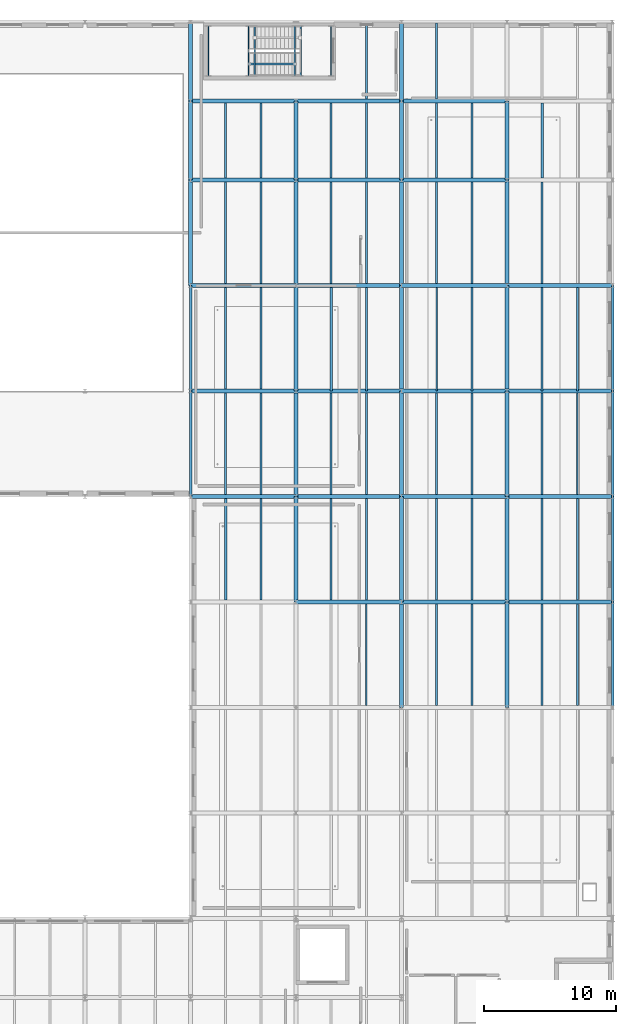
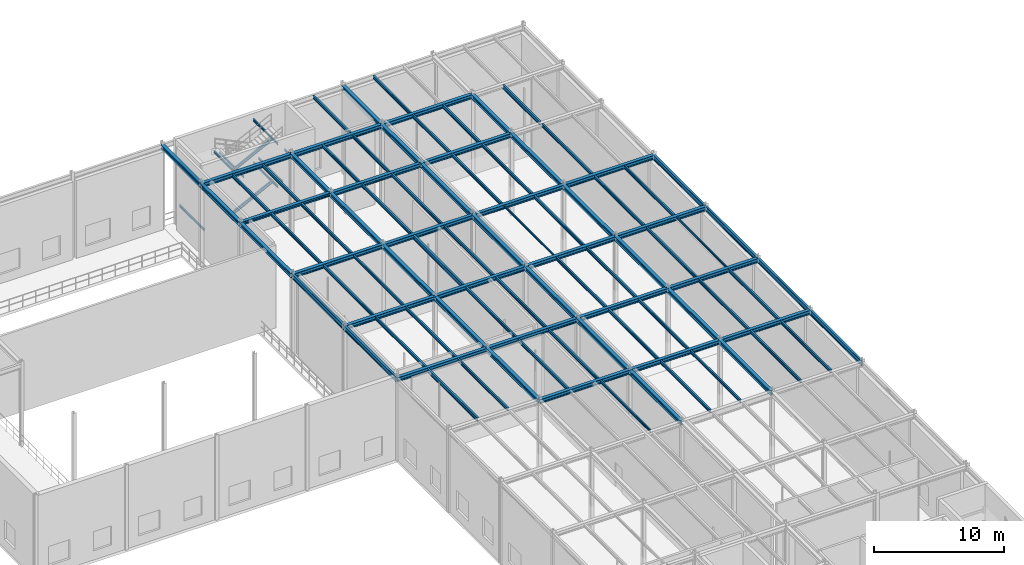
# One storey, part 71 of 138: 102 beams, 2 members.
"""IFC4 building model written with IfcOpenShell, lengths in metres."""

from ifc_helpers import new_model, si_unit, direction, frame, origin, origin_2d, place, context, subcontext, project, spatial, i_section, extrude, material, material_profile, profile_set, type_object, element, save


model = new_model("IFC4")

# Units and contexts
model_context = context("Model", 3, precision=1e-05, world=origin(), true_north=direction((0.0, 1.0)))
body_context = subcontext(model_context, "Body", "Model", "MODEL_VIEW")
ifc_project = project(units=[si_unit("LENGTHUNIT", "METRE"), si_unit("AREAUNIT", "SQUARE_METRE"), si_unit("VOLUMEUNIT", "CUBIC_METRE"), si_unit("PLANEANGLEUNIT", "RADIAN"), si_unit("MASSUNIT", "GRAM", prefix="KILO")], contexts=[model_context])

# Site, building, storey
site_placement = place(None, origin())
site = spatial("IfcSite", under=ifc_project, at=site_placement, CompositionType="ELEMENT")
building_placement = place(site_placement, origin())
building = spatial("IfcBuilding", under=site, at=building_placement, Name="Sundkrona Museum", CompositionType="ELEMENT")
storey_placement = place(building_placement, frame((0.0, 0.0, 9.60009765625)))
storey = spatial("IfcBuildingStorey", under=building, at=storey_placement, Name="L02", CompositionType="ELEMENT", Elevation=9.60009765625)

# Beams
ifc_material = material(Name="Steel S355J2", Category="steel")
ifc_material_profile_1 = material_profile(ifc_material, i_section(OverallWidth=0.300048828125, OverallDepth=0.389892578125, WebThickness=0.010986328125, FlangeThickness=0.01904296875, FilletRadius=0.027099609375, at=origin_2d()), Name="HEA 400")
ifc_profile_set_1 = profile_set([ifc_material_profile_1], Name="Steel S355J2")
beam_type_1 = type_object("IfcBeamType", Name="B-HEA400", PredefinedType="BEAM", material=ifc_profile_set_1)
for number, where, z_axis, x_axis, name in (
    (1, (144.0, 70.0, 7.544921875), (1.0, 0.0, 0.0), (0.0, 1.0, 0.0), "L02 Girder X-1191"),
    (2, (152.0, 70.0, 7.544921875), (1.0, 0.0, 0.0), (0.0, 1.0, 0.0), "L02 Girder X-1192"),
    (3, (160.0, 70.0, 7.544921875), (1.0, 0.0, 0.0), (0.0, 1.0, 0.0), "L02 Girder X-1193"),
    (4, (136.0, 78.0, 7.544921875), (1.0, 0.0, 0.0), (0.0, 1.0, 0.0), "L02 Girder X-1202"),
    (5, (144.0, 78.0, 7.544921875), (1.0, 0.0, 0.0), (0.0, 1.0, 0.0), "L02 Girder X-1203"),
    (6, (152.0, 78.0, 7.544921875), (1.0, 0.0, 0.0), (0.0, 1.0, 0.0), "L02 Girder X-1204"),
    (7, (160.0, 78.0, 7.544921875), (1.0, 0.0, 0.0), (0.0, 1.0, 0.0), "L02 Girder X-1205"),
    (8, (136.0, 86.0, 7.544921875), (1.0, 0.0, 0.0), (0.0, 1.0, 0.0), "L02 Girder X-1207"),
    (9, (144.0, 86.0, 7.544921875), (1.0, 0.0, 0.0), (0.0, 1.0, 0.0), "L02 Girder X-1208"),
    (10, (152.0, 86.0, 7.544921875), (1.0, 0.0, 0.0), (0.0, 1.0, 0.0), "L02 Girder X-1209"),
    (11, (160.0, 86.0, 7.544921875), (1.0, 0.0, 0.0), (0.0, 1.0, 0.0), "L02 Girder X-1210"),
    (12, (136.0, 94.0, 7.544921875), (1.0, 0.0, 0.0), (0.0, 1.0, 0.0), "L02 Girder X-1220"),
    (13, (144.0, 94.0, 7.5048828125), (1.0, 0.0, 0.0), (0.0, 1.0, 0.0), "L02 Girder X-1221"),
    (14, (152.0, 94.0, 7.5048828125), (1.0, 0.0, 0.0), (0.0, 1.0, 0.0), "L02 Girder X-1222"),
    (15, (160.0, 94.0, 7.5048828125), (1.0, 0.0, 0.0), (0.0, 1.0, 0.0), "L02 Girder X-1223"),
    (16, (144.0, 102.0, 7.5048828125), (1.0, 0.0, 0.0), (0.0, 1.0, 0.0), "L02 Girder X-1234"),
    (17, (152.0, 102.0, 7.5048828125), (1.0, 0.0, 0.0), (0.0, 1.0, 0.0), "L02 Girder X-1235"),
    (18, (136.0, 108.0, 7.544921875), (1.0, 0.0, 0.0), (0.0, 1.0, 0.0), "L02 Girder X-1246"),
    (19, (144.0, 108.0, 7.5048828125), (1.0, 0.0, 0.0), (0.0, 1.0, 0.0), "L02 Girder X-1247"),
    (20, (152.0, 108.0, 7.5048828125), (1.0, 0.0, 0.0), (0.0, 1.0, 0.0), "L02 Girder X-1248"),
    (21, (136.0, 94.0, 7.544921875), (0.0, 1.0, 0.0), (-1.0, 0.0, 0.0), "L02 Girder Y-1353"),
):
    element("IfcBeam", number, at=place(storey_placement, frame(where, z_axis=z_axis, x_axis=x_axis)), inside=storey, type_object=beam_type_1, Name=name, PredefinedType="BEAM", context=body_context, shape_type="SweptSolid", body=[
        extrude(i_section(OverallWidth=0.300048828125, OverallDepth=0.389892578125, WebThickness=0.010986328125, FlangeThickness=0.01904296875, FilletRadius=0.027099609375, at=origin_2d()), origin(), (0.0, 0.0, 1.0), 8.0),
    ])
for number, where, z_axis, x_axis, name in (
    (22, (136.0, 102.0, 7.544921875), (0.0, 1.0, 0.0), (-1.0, 0.0, 0.0), "L02 Girder Y-1354"),
    (23, (136.0, 108.0, 7.544921875), (0.0, 1.0, 0.0), (-1.0, 0.0, 0.0), "L02 Girder Y-1355"),
):
    element("IfcBeam", number, at=place(storey_placement, frame(where, z_axis=z_axis, x_axis=x_axis)), inside=storey, type_object=beam_type_1, Name=name, PredefinedType="BEAM", context=body_context, shape_type="SweptSolid", body=[
        extrude(i_section(OverallWidth=0.300048828125, OverallDepth=0.389892578125, WebThickness=0.010986328125, FlangeThickness=0.01904296875, FilletRadius=0.027099609375, at=origin_2d()), origin(), (0.0, 0.0, 1.0), 6.0),
    ])
for number, where, z_axis, x_axis, name in (
    (24, (144.0, 70.0, 7.544921875), (0.0, 1.0, 0.0), (-1.0, 0.0, 0.0), "L02 Girder Y-1362"),
    (25, (144.0, 78.0, 7.544921875), (0.0, 1.0, 0.0), (-1.0, 0.0, 0.0), "L02 Girder Y-1363"),
    (26, (144.0, 86.0, 7.544921875), (0.0, 1.0, 0.0), (-1.0, 0.0, 0.0), "L02 Girder Y-1364"),
    (27, (144.0, 94.0, 7.544921875), (0.0, 1.0, 0.0), (-1.0, 0.0, 0.0), "L02 Girder Y-1365"),
):
    element("IfcBeam", number, at=place(storey_placement, frame(where, z_axis=z_axis, x_axis=x_axis)), inside=storey, type_object=beam_type_1, Name=name, PredefinedType="BEAM", context=body_context, shape_type="SweptSolid", body=[
        extrude(i_section(OverallWidth=0.300048828125, OverallDepth=0.389892578125, WebThickness=0.010986328125, FlangeThickness=0.01904296875, FilletRadius=0.027099609375, at=origin_2d()), origin(), (0.0, 0.0, 1.0), 8.0),
    ])
beam_1_placement = place(storey_placement, frame((144.0, 102.0, 7.544921875), z_axis=(0.0, 1.0, 0.0), x_axis=(-1.0, 0.0, 0.0)))
element("IfcBeam", 28, at=beam_1_placement, inside=storey, type_object=beam_type_1, Name="L02 Girder Y-1366", PredefinedType="BEAM", context=body_context, shape_type="SweptSolid", body=[
    extrude(i_section(OverallWidth=0.300048828125, OverallDepth=0.389892578125, WebThickness=0.010986328125, FlangeThickness=0.01904296875, FilletRadius=0.027099609375, at=origin_2d()), origin(), (0.0, 0.0, 1.0), 6.0),
])
for number, where, z_axis, x_axis, name in (
    (29, (152.0, 62.0, 7.544921875), (0.0, 1.0, 0.0), (-1.0, 0.0, 0.0), "L02 Girder Y-1375"),
    (30, (152.0, 70.0, 7.544921875), (0.0, 1.0, 0.0), (-1.0, 0.0, 0.0), "L02 Girder Y-1376"),
    (31, (152.0, 78.0, 7.544921875), (0.0, 1.0, 0.0), (-1.0, 0.0, 0.0), "L02 Girder Y-1377"),
    (32, (152.0, 86.0, 7.5048828125), (0.0, 1.0, 0.0), (-1.0, 0.0, 0.0), "L02 Girder Y-1378"),
    (33, (152.0, 94.0, 7.5048828125), (0.0, 1.0, 0.0), (-1.0, 0.0, 0.0), "L02 Girder Y-1379"),
):
    element("IfcBeam", number, at=place(storey_placement, frame(where, z_axis=z_axis, x_axis=x_axis)), inside=storey, type_object=beam_type_1, Name=name, PredefinedType="BEAM", context=body_context, shape_type="SweptSolid", body=[
        extrude(i_section(OverallWidth=0.300048828125, OverallDepth=0.389892578125, WebThickness=0.010986328125, FlangeThickness=0.01904296875, FilletRadius=0.027099609375, at=origin_2d()), origin(), (0.0, 0.0, 1.0), 8.0),
    ])
for number, where, z_axis, x_axis, name in (
    (34, (152.0, 102.0, 7.5048828125), (0.0, 1.0, 0.0), (-1.0, 0.0, 0.0), "L02 Girder Y-1380"),
    (35, (152.0, 108.0, 7.5048828125), (0.0, 1.0, 0.0), (-1.0, 0.0, 0.0), "L02 Girder Y-1381"),
):
    element("IfcBeam", number, at=place(storey_placement, frame(where, z_axis=z_axis, x_axis=x_axis)), inside=storey, type_object=beam_type_1, Name=name, PredefinedType="BEAM", context=body_context, shape_type="SweptSolid", body=[
        extrude(i_section(OverallWidth=0.300048828125, OverallDepth=0.389892578125, WebThickness=0.010986328125, FlangeThickness=0.01904296875, FilletRadius=0.027099609375, at=origin_2d()), origin(), (0.0, 0.0, 1.0), 6.0),
    ])
for number, where, z_axis, x_axis, name in (
    (36, (160.0, 62.0, 7.544921875), (0.0, 1.0, 0.0), (-1.0, 0.0, 0.0), "L02 Girder Y-1388"),
    (37, (160.0, 70.0, 7.544921875), (0.0, 1.0, 0.0), (-1.0, 0.0, 0.0), "L02 Girder Y-1389"),
    (38, (160.0, 78.0, 7.544921875), (0.0, 1.0, 0.0), (-1.0, 0.0, 0.0), "L02 Girder Y-1390"),
    (39, (160.0, 86.0, 7.5048828125), (0.0, 1.0, 0.0), (-1.0, 0.0, 0.0), "L02 Girder Y-1391"),
    (40, (160.0, 94.0, 7.5048828125), (0.0, 1.0, 0.0), (-1.0, 0.0, 0.0), "L02 Girder Y-1392"),
):
    element("IfcBeam", number, at=place(storey_placement, frame(where, z_axis=z_axis, x_axis=x_axis)), inside=storey, type_object=beam_type_1, Name=name, PredefinedType="BEAM", context=body_context, shape_type="SweptSolid", body=[
        extrude(i_section(OverallWidth=0.300048828125, OverallDepth=0.389892578125, WebThickness=0.010986328125, FlangeThickness=0.01904296875, FilletRadius=0.027099609375, at=origin_2d()), origin(), (0.0, 0.0, 1.0), 8.0),
    ])
beam_2_placement = place(storey_placement, frame((160.0, 102.0, 7.5048828125), z_axis=(0.0, 1.0, 0.0), x_axis=(-1.0, 0.0, 0.0)))
element("IfcBeam", 41, at=beam_2_placement, inside=storey, type_object=beam_type_1, Name="L02 Girder Y-1393", PredefinedType="BEAM", context=body_context, shape_type="SweptSolid", body=[
    extrude(i_section(OverallWidth=0.300048828125, OverallDepth=0.389892578125, WebThickness=0.010986328125, FlangeThickness=0.01904296875, FilletRadius=0.027099609375, at=origin_2d()), origin(), (0.0, 0.0, 1.0), 6.0),
])
ifc_material_profile_2 = material_profile(ifc_material, i_section(OverallWidth=0.300048828125, OverallDepth=0.300048828125, WebThickness=0.010986328125, FlangeThickness=0.01904296875, FilletRadius=0.027099609375, at=origin_2d()), Name="HEB 300")
ifc_profile_set_2 = profile_set([ifc_material_profile_2], Name="Steel S355J2")
beam_type_2 = type_object("IfcBeamType", Name="B-HEB300", PredefinedType="BEAM", material=ifc_profile_set_2)
beam_3_placement = place(storey_placement, frame((136.0, 102.0, 7.58984375), z_axis=(1.0, 0.0, 0.0), x_axis=(0.0, 1.0, 0.0)))
element("IfcBeam", 42, at=beam_3_placement, inside=storey, type_object=beam_type_2, Name="L02 Girder X-1233", PredefinedType="BEAM", context=body_context, shape_type="SweptSolid", body=[
    extrude(i_section(OverallWidth=0.300048828125, OverallDepth=0.300048828125, WebThickness=0.010986328125, FlangeThickness=0.01904296875, FilletRadius=0.027099609375, at=origin_2d()), origin(), (0.0, 0.0, 1.0), 8.0),
])

# Members
ifc_material_profile_3 = material_profile(ifc_material, i_section(OverallWidth=0.135009765625, OverallDepth=0.27001953125, WebThickness=0.006591796875, FlangeThickness=0.01025390625, FilletRadius=0.014892578125, at=origin_2d()), Name="IPE 270")
ifc_profile_set_3 = profile_set([ifc_material_profile_3], Name="Steel S355J2")
member_type = type_object("IfcMemberType", Name="BR-IPE270", PredefinedType="BRACE", material=ifc_profile_set_3)
for number, where, z_axis, x_axis, name in (
    (43, (140.465087890625, 110.800048828125, 1.679931640625), (0.891659684786, 0.0, 0.45270631377), (0.0, 1.0, 0.0), "SRK-1 L02 ST-5 Flight 2 Inclined Carriage Raker"),
    (44, (140.465087890625, 110.800048828125, 5.679931640625), (0.891659684786, 0.0, 0.45270631377), (0.0, 1.0, 0.0), "SRK-1 L02 ST-5 Flight 4 Inclined Carriage Raker"),
):
    element("IfcMember", number, at=place(storey_placement, frame(where, z_axis=z_axis, x_axis=x_axis)), inside=storey, type_object=member_type, Name=name, PredefinedType="BRACE", context=body_context, shape_type="SweptSolid", body=[
        extrude(i_section(OverallWidth=0.135009765625, OverallDepth=0.27001953125, WebThickness=0.006591796875, FlangeThickness=0.01025390625, FilletRadius=0.014892578125, at=origin_2d()), origin(), (0.0, 0.0, 1.0), 3.85205078125),
    ])

# Beams
ifc_material_profile_4 = material_profile(ifc_material, i_section(OverallWidth=0.091064453125, OverallDepth=0.179931640625, WebThickness=0.00537109375, FlangeThickness=0.008056640625, FilletRadius=0.009033203125, at=origin_2d()), Name="IPE 180")
ifc_profile_set_4 = profile_set([ifc_material_profile_4], Name="Steel S355J2")
beam_type_3 = type_object("IfcBeamType", Name="J-IPE180", PredefinedType="JOIST", material=ifc_profile_set_4)
beam_4_placement = place(storey_placement, frame((154.666748046875, 86.014892578125, 7.60986328125), z_axis=(0.0, 1.0, 0.0), x_axis=(-1.0, 0.0, 0.0)))
element("IfcBeam", 45, at=beam_4_placement, inside=storey, type_object=beam_type_3, Name="L02 Composite Joist 0935", PredefinedType="JOIST", context=body_context, shape_type="SweptSolid", body=[
    extrude(i_section(OverallWidth=0.091064453125, OverallDepth=0.179931640625, WebThickness=0.00537109375, FlangeThickness=0.008056640625, FilletRadius=0.009033203125, at=origin_2d()), origin(), (0.0, 0.0, 1.0), 7.841064453125),
])
ifc_material_profile_5 = material_profile(ifc_material, i_section(OverallWidth=0.10009765625, OverallDepth=0.199951171875, WebThickness=0.005615234375, FlangeThickness=0.008544921875, FilletRadius=0.011962890625, at=origin_2d()), Name="IPE 200")
ifc_profile_set_5 = profile_set([ifc_material_profile_5], Name="Steel S355J2")
beam_type_4 = type_object("IfcBeamType", Name="J-IPE200", PredefinedType="JOIST", material=ifc_profile_set_5)
beam_5_placement = place(storey_placement, frame((165.333251953125, 78.14404296875, 7.639892578125), z_axis=(0.0, 1.0, 0.0), x_axis=(-1.0, 0.0, 0.0)))
element("IfcBeam", 46, at=beam_5_placement, inside=storey, type_object=beam_type_4, Name="L02 Composite Joist 0960", PredefinedType="JOIST", context=body_context, shape_type="SweptSolid", body=[
    extrude(i_section(OverallWidth=0.10009765625, OverallDepth=0.199951171875, WebThickness=0.005615234375, FlangeThickness=0.008544921875, FilletRadius=0.011962890625, at=origin_2d()), origin(), (0.0, 0.0, 1.0), 7.7119140625),
])
for number, where, z_axis, x_axis, name in (
    (47, (137.36328125, 109.909912109375, 1.679931640625), (0.0, 1.0, 0.0), (-1.0, 0.0, 0.0), "L02 ST-5 Mid-Landing Trimmer Beam 1A"),
    (48, (140.401611328125, 109.909912109375, 1.679931640625), (0.0, 1.0, 0.0), (-1.0, 0.0, 0.0), "L02 ST-5 Mid-Landing Trimmer Beam 1B"),
    (49, (144.347900390625, 109.909912109375, 3.679931640625), (0.0, 1.0, 0.0), (-1.0, 0.0, 0.0), "L02 ST-5 Mid-Landing Trimmer Beam 2A"),
    (50, (146.652099609375, 109.909912109375, 3.679931640625), (0.0, 1.0, 0.0), (-1.0, 0.0, 0.0), "L02 ST-5 Mid-Landing Trimmer Beam 2B"),
    (51, (137.36328125, 109.909912109375, 5.679931640625), (0.0, 1.0, 0.0), (-1.0, 0.0, 0.0), "L02 ST-5 Mid-Landing Trimmer Beam 3A"),
    (52, (140.401611328125, 109.909912109375, 5.679931640625), (0.0, 1.0, 0.0), (-1.0, 0.0, 0.0), "L02 ST-5 Mid-Landing Trimmer Beam 3B"),
    (53, (143.89990234375, 109.909912109375, 3.423828125), (0.0, 1.0, 0.0), (-1.0, 0.0, 0.0), "L02 ST-5 Flight 2 Arrival Header Beam"),
    (54, (140.864990234375, 109.909912109375, 5.423828125), (0.0, 1.0, 0.0), (-1.0, 0.0, 0.0), "L02 ST-5 Flight 3 Arrival Header Beam"),
    (55, (143.89990234375, 109.909912109375, 7.423828125), (0.0, 1.0, 0.0), (-1.0, 0.0, 0.0), "L02 ST-5 Flight 4 Arrival Header Beam"),
):
    element("IfcBeam", number, at=place(storey_placement, frame(where, z_axis=z_axis, x_axis=x_axis)), inside=storey, type_object=beam_type_4, Name=name, PredefinedType="JOIST", context=body_context, shape_type="SweptSolid", body=[
        extrude(i_section(OverallWidth=0.10009765625, OverallDepth=0.199951171875, WebThickness=0.005615234375, FlangeThickness=0.008544921875, FilletRadius=0.011962890625, at=origin_2d()), origin(), (0.0, 0.0, 1.0), 3.780029296875),
    ])
ifc_material_profile_6 = material_profile(ifc_material, i_section(OverallWidth=0.1201171875, OverallDepth=0.239990234375, WebThickness=0.006103515625, FlangeThickness=0.009765625, FilletRadius=0.014892578125, at=origin_2d()), Name="IPE 240")
ifc_profile_set_6 = profile_set([ifc_material_profile_6], Name="Steel S355J2")
beam_type_5 = type_object("IfcBeamType", Name="J-IPE240", PredefinedType="JOIST", material=ifc_profile_set_6)
beam_6_placement = place(storey_placement, frame((149.333251953125, 62.14404296875, 7.619873046875), z_axis=(0.0, 1.0, 0.0), x_axis=(-1.0, 0.0, 0.0)))
element("IfcBeam", 56, at=beam_6_placement, inside=storey, type_object=beam_type_5, Name="L02 Composite Joist 0905", PredefinedType="JOIST", context=body_context, shape_type="SweptSolid", body=[
    extrude(i_section(OverallWidth=0.1201171875, OverallDepth=0.239990234375, WebThickness=0.006103515625, FlangeThickness=0.009765625, FilletRadius=0.014892578125, at=origin_2d()), origin(), (0.0, 0.0, 1.0), 7.7119140625),
])
ifc_material_profile_7 = material_profile(ifc_material, i_section(OverallWidth=0.135009765625, OverallDepth=0.27001953125, WebThickness=0.006591796875, FlangeThickness=0.01025390625, FilletRadius=0.014892578125, at=origin_2d()), Name="IPE 270")
ifc_profile_set_7 = profile_set([ifc_material_profile_7], Name="Steel S355J2")
beam_type_6 = type_object("IfcBeamType", Name="J-IPE270", PredefinedType="JOIST", material=ifc_profile_set_7)
for number, where, z_axis, x_axis, name in (
    (57, (141.333251953125, 86.14404296875, 7.60498046875), (0.0, 1.0, 0.0), (-1.0, 0.0, 0.0), "L02 Composite Joist 0890"),
    (58, (157.333251953125, 62.14404296875, 7.60498046875), (0.0, 1.0, 0.0), (-1.0, 0.0, 0.0), "L02 Composite Joist 0930"),
):
    element("IfcBeam", number, at=place(storey_placement, frame(where, z_axis=z_axis, x_axis=x_axis)), inside=storey, type_object=beam_type_6, Name=name, PredefinedType="JOIST", context=body_context, shape_type="SweptSolid", body=[
        extrude(i_section(OverallWidth=0.135009765625, OverallDepth=0.27001953125, WebThickness=0.006591796875, FlangeThickness=0.01025390625, FilletRadius=0.014892578125, at=origin_2d()), origin(), (0.0, 0.0, 1.0), 7.7119140625),
    ])
ifc_material_profile_8 = material_profile(ifc_material, i_section(OverallWidth=0.14990234375, OverallDepth=0.300048828125, WebThickness=0.007080078125, FlangeThickness=0.0107421875, FilletRadius=0.014892578125, at=origin_2d()), Name="IPE 300")
ifc_profile_set_8 = profile_set([ifc_material_profile_8], Name="Steel S355J2")
beam_type_7 = type_object("IfcBeamType", Name="J-IPE300", PredefinedType="JOIST", material=ifc_profile_set_8)
for number, where, z_axis, x_axis, name in (
    (59, (141.333251953125, 70.14404296875, 7.58984375), (0.0, 1.0, 0.0), (-1.0, 0.0, 0.0), "L02 Composite Joist 0886"),
    (60, (138.666748046875, 78.14404296875, 7.58984375), (0.0, 1.0, 0.0), (-1.0, 0.0, 0.0), "L02 Composite Joist 0887"),
    (61, (141.333251953125, 78.14404296875, 7.58984375), (0.0, 1.0, 0.0), (-1.0, 0.0, 0.0), "L02 Composite Joist 0888"),
    (62, (138.666748046875, 86.14404296875, 7.58984375), (0.0, 1.0, 0.0), (-1.0, 0.0, 0.0), "L02 Composite Joist 0889"),
    (63, (138.666748046875, 94.14404296875, 7.58984375), (0.0, 1.0, 0.0), (-1.0, 0.0, 0.0), "L02 Composite Joist 0891"),
    (64, (141.333251953125, 94.14404296875, 7.58984375), (0.0, 1.0, 0.0), (-1.0, 0.0, 0.0), "L02 Composite Joist 0892"),
):
    element("IfcBeam", number, at=place(storey_placement, frame(where, z_axis=z_axis, x_axis=x_axis)), inside=storey, type_object=beam_type_7, Name=name, PredefinedType="JOIST", context=body_context, shape_type="SweptSolid", body=[
        extrude(i_section(OverallWidth=0.14990234375, OverallDepth=0.300048828125, WebThickness=0.007080078125, FlangeThickness=0.0107421875, FilletRadius=0.014892578125, at=origin_2d()), origin(), (0.0, 0.0, 1.0), 7.7119140625),
    ])
for number, where, z_axis, x_axis, name in (
    (65, (138.666748046875, 102.14404296875, 7.58984375), (0.0, 1.0, 0.0), (-1.0, 0.0, 0.0), "L02 Composite Joist 0893"),
    (66, (141.333251953125, 102.14404296875, 7.58984375), (0.0, 1.0, 0.0), (-1.0, 0.0, 0.0), "L02 Composite Joist 0894"),
):
    element("IfcBeam", number, at=place(storey_placement, frame(where, z_axis=z_axis, x_axis=x_axis)), inside=storey, type_object=beam_type_7, Name=name, PredefinedType="JOIST", context=body_context, shape_type="SweptSolid", body=[
        extrude(i_section(OverallWidth=0.14990234375, OverallDepth=0.300048828125, WebThickness=0.007080078125, FlangeThickness=0.0107421875, FilletRadius=0.014892578125, at=origin_2d()), origin(), (0.0, 0.0, 1.0), 5.7119140625),
    ])
for number, where, z_axis, x_axis, name in (
    (67, (146.666748046875, 70.14404296875, 7.58984375), (0.0, 1.0, 0.0), (-1.0, 0.0, 0.0), "L02 Composite Joist 0906"),
    (68, (149.333251953125, 70.14404296875, 7.58984375), (0.0, 1.0, 0.0), (-1.0, 0.0, 0.0), "L02 Composite Joist 0907"),
    (69, (146.666748046875, 78.14404296875, 7.58984375), (0.0, 1.0, 0.0), (-1.0, 0.0, 0.0), "L02 Composite Joist 0908"),
    (70, (149.333251953125, 78.14404296875, 7.58984375), (0.0, 1.0, 0.0), (-1.0, 0.0, 0.0), "L02 Composite Joist 0909"),
):
    element("IfcBeam", number, at=place(storey_placement, frame(where, z_axis=z_axis, x_axis=x_axis)), inside=storey, type_object=beam_type_7, Name=name, PredefinedType="JOIST", context=body_context, shape_type="SweptSolid", body=[
        extrude(i_section(OverallWidth=0.14990234375, OverallDepth=0.300048828125, WebThickness=0.007080078125, FlangeThickness=0.0107421875, FilletRadius=0.014892578125, at=origin_2d()), origin(), (0.0, 0.0, 1.0), 7.7119140625),
    ])
beam_7_placement = place(storey_placement, frame((149.333251953125, 86.014892578125, 7.5498046875), z_axis=(0.0, 1.0, 0.0), x_axis=(-1.0, 0.0, 0.0)))
element("IfcBeam", 71, at=beam_7_placement, inside=storey, type_object=beam_type_7, Name="L02 Composite Joist 0911", PredefinedType="JOIST", context=body_context, shape_type="SweptSolid", body=[
    extrude(i_section(OverallWidth=0.14990234375, OverallDepth=0.300048828125, WebThickness=0.007080078125, FlangeThickness=0.0107421875, FilletRadius=0.014892578125, at=origin_2d()), origin(), (0.0, 0.0, 1.0), 7.841064453125),
])
for number, where, z_axis, x_axis, name in (
    (72, (146.666748046875, 94.14404296875, 7.5498046875), (0.0, 1.0, 0.0), (-1.0, 0.0, 0.0), "L02 Composite Joist 0912"),
    (73, (149.333251953125, 94.14404296875, 7.5498046875), (0.0, 1.0, 0.0), (-1.0, 0.0, 0.0), "L02 Composite Joist 0913"),
):
    element("IfcBeam", number, at=place(storey_placement, frame(where, z_axis=z_axis, x_axis=x_axis)), inside=storey, type_object=beam_type_7, Name=name, PredefinedType="JOIST", context=body_context, shape_type="SweptSolid", body=[
        extrude(i_section(OverallWidth=0.14990234375, OverallDepth=0.300048828125, WebThickness=0.007080078125, FlangeThickness=0.0107421875, FilletRadius=0.014892578125, at=origin_2d()), origin(), (0.0, 0.0, 1.0), 7.7119140625),
    ])
for number, where, z_axis, x_axis, name in (
    (74, (146.666748046875, 102.14404296875, 7.5498046875), (0.0, 1.0, 0.0), (-1.0, 0.0, 0.0), "L02 Composite Joist 0914"),
    (75, (149.333251953125, 102.14404296875, 7.5498046875), (0.0, 1.0, 0.0), (-1.0, 0.0, 0.0), "L02 Composite Joist 0915"),
):
    element("IfcBeam", number, at=place(storey_placement, frame(where, z_axis=z_axis, x_axis=x_axis)), inside=storey, type_object=beam_type_7, Name=name, PredefinedType="JOIST", context=body_context, shape_type="SweptSolid", body=[
        extrude(i_section(OverallWidth=0.14990234375, OverallDepth=0.300048828125, WebThickness=0.007080078125, FlangeThickness=0.0107421875, FilletRadius=0.014892578125, at=origin_2d()), origin(), (0.0, 0.0, 1.0), 5.7119140625),
    ])
beam_8_placement = place(storey_placement, frame((149.333251953125, 108.14404296875, 7.5498046875), z_axis=(0.0, 1.0, 0.0), x_axis=(-1.0, 0.0, 0.0)))
element("IfcBeam", 76, at=beam_8_placement, inside=storey, type_object=beam_type_7, Name="L02 Composite Joist 0916", PredefinedType="JOIST", context=body_context, shape_type="SweptSolid", body=[
    extrude(i_section(OverallWidth=0.14990234375, OverallDepth=0.300048828125, WebThickness=0.007080078125, FlangeThickness=0.0107421875, FilletRadius=0.014892578125, at=origin_2d()), origin(), (0.0, 0.0, 1.0), 5.766845703125),
])
for number, where, z_axis, x_axis, name in (
    (77, (154.666748046875, 62.14404296875, 7.58984375), (0.0, 1.0, 0.0), (-1.0, 0.0, 0.0), "L02 Composite Joist 0929"),
    (78, (154.666748046875, 70.14404296875, 7.58984375), (0.0, 1.0, 0.0), (-1.0, 0.0, 0.0), "L02 Composite Joist 0931"),
    (79, (157.333251953125, 70.14404296875, 7.58984375), (0.0, 1.0, 0.0), (-1.0, 0.0, 0.0), "L02 Composite Joist 0932"),
    (80, (154.666748046875, 78.14404296875, 7.58984375), (0.0, 1.0, 0.0), (-1.0, 0.0, 0.0), "L02 Composite Joist 0933"),
    (81, (157.333251953125, 78.14404296875, 7.58984375), (0.0, 1.0, 0.0), (-1.0, 0.0, 0.0), "L02 Composite Joist 0934"),
):
    element("IfcBeam", number, at=place(storey_placement, frame(where, z_axis=z_axis, x_axis=x_axis)), inside=storey, type_object=beam_type_7, Name=name, PredefinedType="JOIST", context=body_context, shape_type="SweptSolid", body=[
        extrude(i_section(OverallWidth=0.14990234375, OverallDepth=0.300048828125, WebThickness=0.007080078125, FlangeThickness=0.0107421875, FilletRadius=0.014892578125, at=origin_2d()), origin(), (0.0, 0.0, 1.0), 7.7119140625),
    ])
beam_9_placement = place(storey_placement, frame((157.333251953125, 86.014892578125, 7.5498046875), z_axis=(0.0, 1.0, 0.0), x_axis=(-1.0, 0.0, 0.0)))
element("IfcBeam", 82, at=beam_9_placement, inside=storey, type_object=beam_type_7, Name="L02 Composite Joist 0936", PredefinedType="JOIST", context=body_context, shape_type="SweptSolid", body=[
    extrude(i_section(OverallWidth=0.14990234375, OverallDepth=0.300048828125, WebThickness=0.007080078125, FlangeThickness=0.0107421875, FilletRadius=0.014892578125, at=origin_2d()), origin(), (0.0, 0.0, 1.0), 7.841064453125),
])
for number, where, z_axis, x_axis, name in (
    (83, (154.666748046875, 94.14404296875, 7.5498046875), (0.0, 1.0, 0.0), (-1.0, 0.0, 0.0), "L02 Composite Joist 0937"),
    (84, (157.333251953125, 94.14404296875, 7.5498046875), (0.0, 1.0, 0.0), (-1.0, 0.0, 0.0), "L02 Composite Joist 0938"),
):
    element("IfcBeam", number, at=place(storey_placement, frame(where, z_axis=z_axis, x_axis=x_axis)), inside=storey, type_object=beam_type_7, Name=name, PredefinedType="JOIST", context=body_context, shape_type="SweptSolid", body=[
        extrude(i_section(OverallWidth=0.14990234375, OverallDepth=0.300048828125, WebThickness=0.007080078125, FlangeThickness=0.0107421875, FilletRadius=0.014892578125, at=origin_2d()), origin(), (0.0, 0.0, 1.0), 7.7119140625),
    ])
beam_10_placement = place(storey_placement, frame((154.666748046875, 102.14404296875, 7.5498046875), z_axis=(0.0, 1.0, 0.0), x_axis=(-1.0, 0.0, 0.0)))
element("IfcBeam", 85, at=beam_10_placement, inside=storey, type_object=beam_type_7, Name="L02 Composite Joist 0939", PredefinedType="JOIST", context=body_context, shape_type="SweptSolid", body=[
    extrude(i_section(OverallWidth=0.14990234375, OverallDepth=0.300048828125, WebThickness=0.007080078125, FlangeThickness=0.0107421875, FilletRadius=0.014892578125, at=origin_2d()), origin(), (0.0, 0.0, 1.0), 5.7119140625),
])
beam_11_placement = place(storey_placement, frame((154.666748046875, 108.14404296875, 7.5498046875), z_axis=(0.0, 1.0, 0.0), x_axis=(-1.0, 0.0, 0.0)))
element("IfcBeam", 86, at=beam_11_placement, inside=storey, type_object=beam_type_7, Name="L02 Composite Joist 0941", PredefinedType="JOIST", context=body_context, shape_type="SweptSolid", body=[
    extrude(i_section(OverallWidth=0.14990234375, OverallDepth=0.300048828125, WebThickness=0.007080078125, FlangeThickness=0.0107421875, FilletRadius=0.014892578125, at=origin_2d()), origin(), (0.0, 0.0, 1.0), 5.766845703125),
])
for number, where, z_axis, x_axis, name in (
    (87, (162.666748046875, 62.14404296875, 7.58984375), (0.0, 1.0, 0.0), (-1.0, 0.0, 0.0), "L02 Composite Joist 0955"),
    (88, (165.333251953125, 62.14404296875, 7.58984375), (0.0, 1.0, 0.0), (-1.0, 0.0, 0.0), "L02 Composite Joist 0956"),
    (89, (162.666748046875, 70.14404296875, 7.58984375), (0.0, 1.0, 0.0), (-1.0, 0.0, 0.0), "L02 Composite Joist 0957"),
    (90, (165.333251953125, 70.14404296875, 7.58984375), (0.0, 1.0, 0.0), (-1.0, 0.0, 0.0), "L02 Composite Joist 0958"),
    (91, (162.666748046875, 78.14404296875, 7.58984375), (0.0, 1.0, 0.0), (-1.0, 0.0, 0.0), "L02 Composite Joist 0959"),
):
    element("IfcBeam", number, at=place(storey_placement, frame(where, z_axis=z_axis, x_axis=x_axis)), inside=storey, type_object=beam_type_7, Name=name, PredefinedType="JOIST", context=body_context, shape_type="SweptSolid", body=[
        extrude(i_section(OverallWidth=0.14990234375, OverallDepth=0.300048828125, WebThickness=0.007080078125, FlangeThickness=0.0107421875, FilletRadius=0.014892578125, at=origin_2d()), origin(), (0.0, 0.0, 1.0), 7.7119140625),
    ])
for number, where, z_axis, x_axis, name in (
    (92, (162.666748046875, 86.014892578125, 7.5498046875), (0.0, 1.0, 0.0), (-1.0, 0.0, 0.0), "L02 Composite Joist 0961"),
    (93, (165.333251953125, 86.014892578125, 7.5498046875), (0.0, 1.0, 0.0), (-1.0, 0.0, 0.0), "L02 Composite Joist 0962"),
):
    element("IfcBeam", number, at=place(storey_placement, frame(where, z_axis=z_axis, x_axis=x_axis)), inside=storey, type_object=beam_type_7, Name=name, PredefinedType="JOIST", context=body_context, shape_type="SweptSolid", body=[
        extrude(i_section(OverallWidth=0.14990234375, OverallDepth=0.300048828125, WebThickness=0.007080078125, FlangeThickness=0.0107421875, FilletRadius=0.014892578125, at=origin_2d()), origin(), (0.0, 0.0, 1.0), 7.841064453125),
    ])
beam_12_placement = place(storey_placement, frame((162.666748046875, 94.14404296875, 7.5498046875), z_axis=(0.0, 1.0, 0.0), x_axis=(-1.0, 0.0, 0.0)))
element("IfcBeam", 94, at=beam_12_placement, inside=storey, type_object=beam_type_7, Name="L02 Composite Joist 0963", PredefinedType="JOIST", context=body_context, shape_type="SweptSolid", body=[
    extrude(i_section(OverallWidth=0.14990234375, OverallDepth=0.300048828125, WebThickness=0.007080078125, FlangeThickness=0.0107421875, FilletRadius=0.014892578125, at=origin_2d()), origin(), (0.0, 0.0, 1.0), 7.7119140625),
])
ifc_material_profile_9 = material_profile(ifc_material, i_section(OverallWidth=0.159912109375, OverallDepth=0.330078125, WebThickness=0.007568359375, FlangeThickness=0.011474609375, FilletRadius=0.01806640625, at=origin_2d()), Name="IPE 330")
ifc_profile_set_9 = profile_set([ifc_material_profile_9], Name="Steel S355J2")
beam_type_8 = type_object("IfcBeamType", Name="J-IPE330", PredefinedType="JOIST", material=ifc_profile_set_9)
beam_13_placement = place(storey_placement, frame((157.333251953125, 102.14404296875, 7.534912109375), z_axis=(0.0, 1.0, 0.0), x_axis=(-1.0, 0.0, 0.0)))
element("IfcBeam", 95, at=beam_13_placement, inside=storey, type_object=beam_type_8, Name="L02 Composite Joist 0940", PredefinedType="JOIST", context=body_context, shape_type="SweptSolid", body=[
    extrude(i_section(OverallWidth=0.159912109375, OverallDepth=0.330078125, WebThickness=0.007568359375, FlangeThickness=0.011474609375, FilletRadius=0.01806640625, at=origin_2d()), origin(), (0.0, 0.0, 1.0), 5.7119140625),
])
ifc_material_profile_10 = material_profile(ifc_material, i_section(OverallWidth=0.169921875, OverallDepth=0.360107421875, WebThickness=0.008056640625, FlangeThickness=0.0126953125, FilletRadius=0.01806640625, at=origin_2d()), Name="IPE 360")
ifc_profile_set_10 = profile_set([ifc_material_profile_10], Name="Steel S355J2")
beam_type_9 = type_object("IfcBeamType", Name="J-IPE360", PredefinedType="JOIST", material=ifc_profile_set_10)
beam_14_placement = place(storey_placement, frame((138.666748046875, 70.14404296875, 7.559814453125), z_axis=(0.0, 1.0, 0.0), x_axis=(-1.0, 0.0, 0.0)))
element("IfcBeam", 96, at=beam_14_placement, inside=storey, type_object=beam_type_9, Name="L02 Composite Joist 0885", PredefinedType="JOIST", context=body_context, shape_type="SweptSolid", body=[
    extrude(i_section(OverallWidth=0.169921875, OverallDepth=0.360107421875, WebThickness=0.008056640625, FlangeThickness=0.0126953125, FilletRadius=0.01806640625, at=origin_2d()), origin(), (0.0, 0.0, 1.0), 7.7119140625),
])
beam_15_placement = place(storey_placement, frame((162.666748046875, 102.14404296875, 7.52001953125), z_axis=(0.0, 1.0, 0.0), x_axis=(-1.0, 0.0, 0.0)))
element("IfcBeam", 97, at=beam_15_placement, inside=storey, type_object=beam_type_9, Name="L02 Composite Joist 0965", PredefinedType="JOIST", context=body_context, shape_type="SweptSolid", body=[
    extrude(i_section(OverallWidth=0.169921875, OverallDepth=0.360107421875, WebThickness=0.008056640625, FlangeThickness=0.0126953125, FilletRadius=0.01806640625, at=origin_2d()), origin(), (0.0, 0.0, 1.0), 5.7119140625),
])
ifc_material_profile_11 = material_profile(ifc_material, i_section(OverallWidth=0.179931640625, OverallDepth=0.39990234375, WebThickness=0.008544921875, FlangeThickness=0.013427734375, FilletRadius=0.02099609375, at=origin_2d()), Name="IPE 400")
ifc_profile_set_11 = profile_set([ifc_material_profile_11], Name="Steel S355J2")
beam_type_10 = type_object("IfcBeamType", Name="J-IPE400", PredefinedType="JOIST", material=ifc_profile_set_11)
beam_16_placement = place(storey_placement, frame((146.666748046875, 86.014892578125, 7.5), z_axis=(0.0, 1.0, 0.0), x_axis=(-1.0, 0.0, 0.0)))
element("IfcBeam", 98, at=beam_16_placement, inside=storey, type_object=beam_type_10, Name="L02 Composite Joist 0910", PredefinedType="JOIST", context=body_context, shape_type="SweptSolid", body=[
    extrude(i_section(OverallWidth=0.179931640625, OverallDepth=0.39990234375, WebThickness=0.008544921875, FlangeThickness=0.013427734375, FilletRadius=0.02099609375, at=origin_2d()), origin(), (0.0, 0.0, 1.0), 7.841064453125),
])
ifc_material_profile_12 = material_profile(ifc_material, i_section(OverallWidth=0.18994140625, OverallDepth=0.449951171875, WebThickness=0.009521484375, FlangeThickness=0.0146484375, FilletRadius=0.02099609375, at=origin_2d()), Name="IPE 450")
ifc_profile_set_12 = profile_set([ifc_material_profile_12], Name="Steel S355J2")
beam_type_11 = type_object("IfcBeamType", Name="SP-IPE450", PredefinedType="SPANDREL", material=ifc_profile_set_12)
for number, where, z_axis, x_axis, name in (
    (99, (136.0, 78.0, 7.514892578125), (0.0, 1.0, 0.0), (-1.0, 0.0, 0.0), "L02 Girder Y-1351"),
    (100, (136.0, 86.0, 7.514892578125), (0.0, 1.0, 0.0), (-1.0, 0.0, 0.0), "L02 Girder Y-1352"),
    (101, (168.0, 62.0, 7.514892578125), (0.0, 1.0, 0.0), (-1.0, 0.0, 0.0), "L02 Girder Y-1403"),
    (102, (168.0, 70.0, 7.514892578125), (0.0, 1.0, 0.0), (-1.0, 0.0, 0.0), "L02 Girder Y-1404"),
    (103, (168.0, 78.0, 7.514892578125), (0.0, 1.0, 0.0), (-1.0, 0.0, 0.0), "L02 Girder Y-1405"),
    (104, (168.0, 86.0, 7.474853515625), (0.0, 1.0, 0.0), (-1.0, 0.0, 0.0), "L02 Girder Y-1406"),
):
    element("IfcBeam", number, at=place(storey_placement, frame(where, z_axis=z_axis, x_axis=x_axis)), inside=storey, type_object=beam_type_11, Name=name, PredefinedType="SPANDREL", context=body_context, shape_type="SweptSolid", body=[
        extrude(i_section(OverallWidth=0.18994140625, OverallDepth=0.449951171875, WebThickness=0.009521484375, FlangeThickness=0.0146484375, FilletRadius=0.02099609375, at=origin_2d()), origin(), (0.0, 0.0, 1.0), 8.0),
    ])

save(model, "model.ifc")
